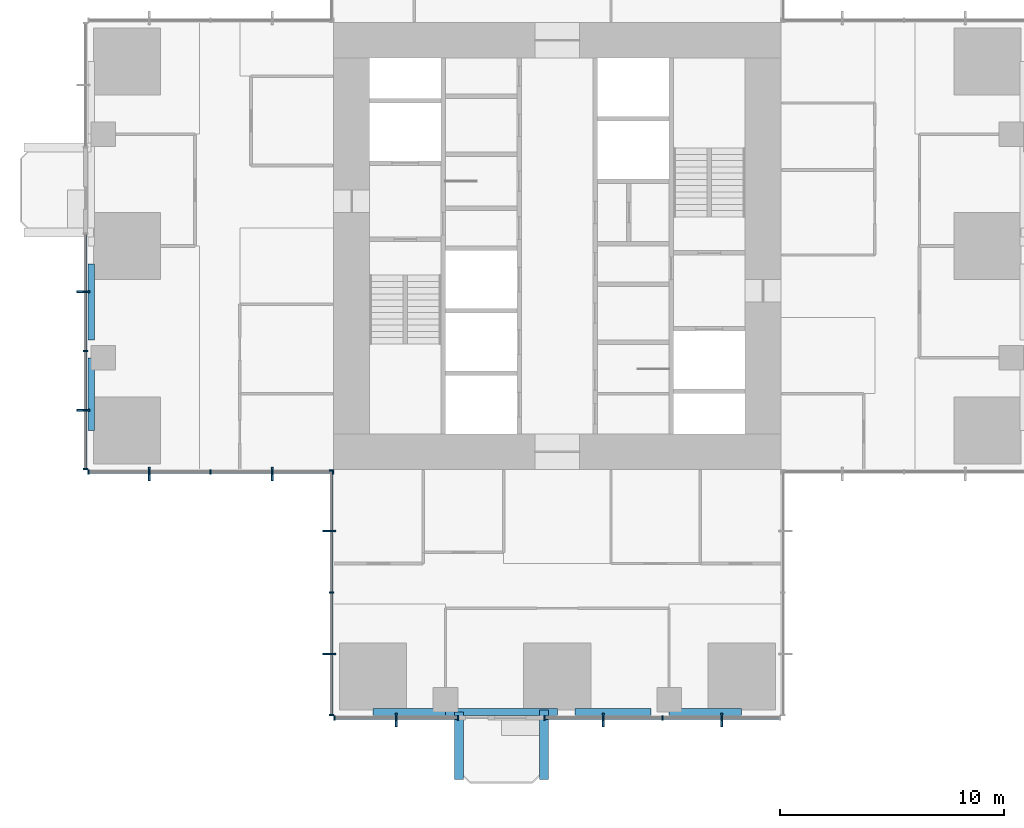
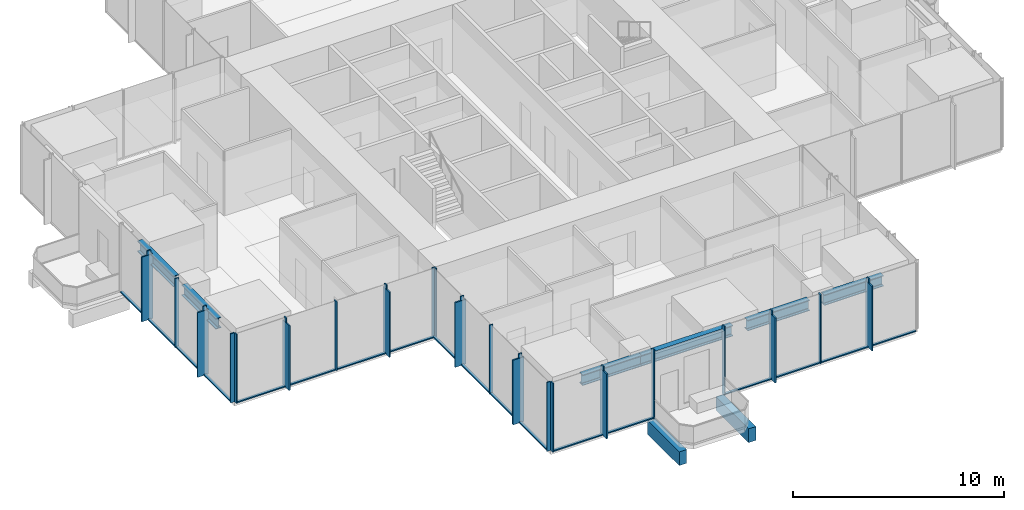
# One storey, part 2 of 13: 48 members, 8 beams, 5 elements without a shape of their own.
"""IFC4 building model written with IfcOpenShell, lengths in metres."""

from ifc_helpers import new_model, si_unit, direction, frame, origin, origin_2d, place, context, subcontext, project, spatial, rectangle, i_section, extrude, material, material_profile, profile_set, type_object, element, aggregate, save


model = new_model("IFC4")

# Units and contexts
model_context = context("Model", 3, precision=1e-05, world=origin(), true_north=direction((0.0, 1.0)))
body_context = subcontext(model_context, "Body", "Model", "MODEL_VIEW")
ifc_project = project(units=[si_unit("LENGTHUNIT", "METRE"), si_unit("AREAUNIT", "SQUARE_METRE"), si_unit("VOLUMEUNIT", "CUBIC_METRE"), si_unit("PLANEANGLEUNIT", "RADIAN"), si_unit("MASSUNIT", "GRAM", prefix="KILO")], contexts=[model_context])

# Site, building, storey
site_placement = place(None, origin())
site = spatial("IfcSite", under=ifc_project, at=site_placement, CompositionType="ELEMENT")
building_placement = place(site_placement, origin())
building = spatial("IfcBuilding", under=site, at=building_placement, Name="Svetlomir Tower", CompositionType="ELEMENT")
storey_placement = place(building_placement, frame((0.0, 0.0, 148.5)))
storey = spatial("IfcBuildingStorey", under=building, at=storey_placement, Name="L35", CompositionType="ELEMENT", Elevation=148.5)

# Beams
ifc_material_1 = material(Name="Concrete C60/75", Category="concrete")
ifc_material_profile_1 = material_profile(ifc_material_1, rectangle(XDim=0.39990234375, YDim=0.800048828125, at=origin_2d()), Name="RC 400x800")
ifc_profile_set_1 = profile_set([ifc_material_profile_1], Name="Concrete C60/75")
beam_type_1 = type_object("IfcBeamType", Name="BALCONY RIB RC 400x800", PredefinedType="BEAM", material=ifc_profile_set_1)
beam_1_placement = place(storey_placement, frame((16.60009765625, 0.14990234375, -0.64990234375), z_axis=(0.0, -1.0, 0.0), x_axis=(1.0, 0.0, 0.0)))
element("IfcBeam", 1, at=beam_1_placement, inside=storey, type_object=beam_type_1, Name="Balcony rib S 1 L35", PredefinedType="BEAM", context=body_context, shape_type="SweptSolid", body=[
    extrude(rectangle(XDim=0.39990234375, YDim=0.800048828125, at=origin_2d()), origin(), (0.0, 0.0, 1.0), 3.0),
])
beam_2_placement = place(storey_placement, frame((20.39990234375, 0.25, -0.64990234375), z_axis=(0.0, -1.0, 0.0), x_axis=(1.0, 0.0, 0.0)))
element("IfcBeam", 2, at=beam_2_placement, inside=storey, type_object=beam_type_1, Name="Balcony rib S 2 L35", PredefinedType="BEAM", context=body_context, shape_type="SweptSolid", body=[
    extrude(rectangle(XDim=0.39990234375, YDim=0.800048828125, at=origin_2d()), origin(), (0.0, 0.0, 1.0), 3.10009765625),
])

# Curtain wall, member
ifc_material_2 = material(Name="Bronze anodised aluminium curtain wall", Category="aluminium")
curtain_wall_type = type_object("IfcCurtainWallType", Name="CURTAIN WALL CW1 TOWER OFFICE", PredefinedType="NOTDEFINED", material=ifc_material_2)
curtain_wall_1_placement = place(storey_placement, origin())
curtain_wall_1 = element("IfcCurtainWall", 3, at=curtain_wall_1_placement, inside=storey, type_object=curtain_wall_type, Name="Curtain wall CW1 L35", PredefinedType="NOTDEFINED")
ifc_material_3 = material(Name="Bronze anodised aluminium", Category="aluminium")
ifc_material_profile_2 = material_profile(ifc_material_3, rectangle(XDim=0.080078125, YDim=0.60009765625, at=origin_2d()), Name="FIN 80x600")
ifc_profile_set_2 = profile_set([ifc_material_profile_2], Name="Bronze anodised aluminium 6063-T6")
member_type_1 = type_object("IfcMemberType", Name="BRONZE FIN 80x600", PredefinedType="USERDEFINED", material=ifc_profile_set_2)
member_1_placement = place(storey_placement, frame((13.800048828125, -0.199951171875, 0.0), z_axis=(0.0, 0.0, 1.0), x_axis=(1.0, 0.0, 0.0)))
member_1 = element("IfcMember", 4, at=member_1_placement, type_object=member_type_1, Name="Bronze fin L35", ObjectType="FIN", PredefinedType="USERDEFINED", context=body_context, shape_type="SweptSolid", body=[
    extrude(rectangle(XDim=0.080078125, YDim=0.60009765625, at=origin_2d()), origin(), (0.0, 0.0, 1.0), 3.75),
])

# Curtain wall, members
curtain_wall_2_placement = place(storey_placement, origin())
curtain_wall_2 = element("IfcCurtainWall", 5, at=curtain_wall_2_placement, inside=storey, type_object=curtain_wall_type, Name="Curtain wall CW1 L35", PredefinedType="NOTDEFINED")
member_2_placement = place(storey_placement, frame((23.050048828125, -0.199951171875, 0.0), z_axis=(0.0, 0.0, 1.0), x_axis=(1.0, 0.0, 0.0)))
member_2 = element("IfcMember", 6, at=member_2_placement, type_object=member_type_1, Name="Bronze fin L35", ObjectType="FIN", PredefinedType="USERDEFINED", context=body_context, shape_type="SweptSolid", body=[
    extrude(rectangle(XDim=0.080078125, YDim=0.60009765625, at=origin_2d()), origin(), (0.0, 0.0, 1.0), 3.75),
])
member_3_placement = place(storey_placement, frame((28.35009765625, -0.199951171875, 0.0), z_axis=(0.0, 0.0, 1.0), x_axis=(1.0, 0.0, 0.0)))
member_3 = element("IfcMember", 7, at=member_3_placement, type_object=member_type_1, Name="Bronze fin L35", ObjectType="FIN", PredefinedType="USERDEFINED", context=body_context, shape_type="SweptSolid", body=[
    extrude(rectangle(XDim=0.080078125, YDim=0.60009765625, at=origin_2d()), origin(), (0.0, 0.0, 1.0), 3.75),
])

curtain_wall_3_placement = place(storey_placement, origin())
curtain_wall_3 = element("IfcCurtainWall", 8, at=curtain_wall_3_placement, inside=storey, type_object=curtain_wall_type, Name="Curtain wall CW1 L35", PredefinedType="NOTDEFINED")
member_4_placement = place(storey_placement, frame((-0.199951171875, 18.949951171875, 0.0), z_axis=(0.0, 0.0, 1.0), x_axis=(0.0, 1.0, 0.0)))
member_4 = element("IfcMember", 9, at=member_4_placement, type_object=member_type_1, Name="Bronze fin L35", ObjectType="FIN", PredefinedType="USERDEFINED", context=body_context, shape_type="SweptSolid", body=[
    extrude(rectangle(XDim=0.080078125, YDim=0.60009765625, at=origin_2d()), origin(), (0.0, 0.0, 1.0), 3.75),
])
member_5_placement = place(storey_placement, frame((-0.199951171875, 13.64990234375, 0.0), z_axis=(0.0, 0.0, 1.0), x_axis=(0.0, 1.0, 0.0)))
member_5 = element("IfcMember", 10, at=member_5_placement, type_object=member_type_1, Name="Bronze fin L35", ObjectType="FIN", PredefinedType="USERDEFINED", context=body_context, shape_type="SweptSolid", body=[
    extrude(rectangle(XDim=0.080078125, YDim=0.60009765625, at=origin_2d()), origin(), (0.0, 0.0, 1.0), 3.75),
])

curtain_wall_4_placement = place(storey_placement, origin())
curtain_wall_4 = element("IfcCurtainWall", 11, at=curtain_wall_4_placement, inside=storey, type_object=curtain_wall_type, Name="Curtain wall CW1 L35", PredefinedType="NOTDEFINED")
member_6_placement = place(storey_placement, frame((2.75, 10.800048828125, 0.0), z_axis=(0.0, 0.0, 1.0), x_axis=(1.0, 0.0, 0.0)))
member_6 = element("IfcMember", 12, at=member_6_placement, type_object=member_type_1, Name="Bronze fin L35", ObjectType="FIN", PredefinedType="USERDEFINED", context=body_context, shape_type="SweptSolid", body=[
    extrude(rectangle(XDim=0.080078125, YDim=0.60009765625, at=origin_2d()), origin(), (0.0, 0.0, 1.0), 3.75),
])
member_7_placement = place(storey_placement, frame((8.25, 10.800048828125, 0.0), z_axis=(0.0, 0.0, 1.0), x_axis=(1.0, 0.0, 0.0)))
member_7 = element("IfcMember", 13, at=member_7_placement, type_object=member_type_1, Name="Bronze fin L35", ObjectType="FIN", PredefinedType="USERDEFINED", context=body_context, shape_type="SweptSolid", body=[
    extrude(rectangle(XDim=0.080078125, YDim=0.60009765625, at=origin_2d()), origin(), (0.0, 0.0, 1.0), 3.75),
])

curtain_wall_5_placement = place(storey_placement, origin())
curtain_wall_5 = element("IfcCurtainWall", 14, at=curtain_wall_5_placement, inside=storey, type_object=curtain_wall_type, Name="Curtain wall CW1 L35", PredefinedType="NOTDEFINED")
member_8_placement = place(storey_placement, frame((10.800048828125, 8.25, 0.0), z_axis=(0.0, 0.0, 1.0), x_axis=(0.0, 1.0, 0.0)))
member_8 = element("IfcMember", 15, at=member_8_placement, type_object=member_type_1, Name="Bronze fin L35", ObjectType="FIN", PredefinedType="USERDEFINED", context=body_context, shape_type="SweptSolid", body=[
    extrude(rectangle(XDim=0.080078125, YDim=0.60009765625, at=origin_2d()), origin(), (0.0, 0.0, 1.0), 3.75),
])
member_9_placement = place(storey_placement, frame((10.800048828125, 2.75, 0.0), z_axis=(0.0, 0.0, 1.0), x_axis=(0.0, 1.0, 0.0)))
member_9 = element("IfcMember", 16, at=member_9_placement, type_object=member_type_1, Name="Bronze fin L35", ObjectType="FIN", PredefinedType="USERDEFINED", context=body_context, shape_type="SweptSolid", body=[
    extrude(rectangle(XDim=0.080078125, YDim=0.60009765625, at=origin_2d()), origin(), (0.0, 0.0, 1.0), 3.75),
])

# Member
ifc_material_4 = material(Name="Bronze anodised aluminium", Category="aluminium")
ifc_material_profile_3 = material_profile(ifc_material_4, rectangle(XDim=0.06494140625, YDim=0.199951171875, at=origin_2d()), Name="AL 65x200")
ifc_profile_set_3 = profile_set([ifc_material_profile_3], Name="Bronze anodised aluminium 6063-T6")
member_type_2 = type_object("IfcMemberType", Name="CW1 MULLION 65x200", PredefinedType="MULLION", material=ifc_profile_set_3)
member_10_placement = place(storey_placement, frame((11.032470703125, -0.10009765625, 0.0), z_axis=(0.0, 0.0, 1.0), x_axis=(1.0, 0.0, 0.0)))
member_10 = element("IfcMember", 17, at=member_10_placement, type_object=member_type_2, Name="CW1 mullion 1", PredefinedType="MULLION", context=body_context, shape_type="SweptSolid", body=[
    extrude(rectangle(XDim=0.06494140625, YDim=0.199951171875, at=origin_2d()), origin(), (0.0, 0.0, 1.0), 4.0),
])

member_11_placement = place(storey_placement, frame((13.800048828125, -0.10009765625, 0.0), z_axis=(0.0, 0.0, 1.0), x_axis=(1.0, 0.0, 0.0)))
member_11 = element("IfcMember", 18, at=member_11_placement, type_object=member_type_2, Name="CW1 mullion 2", PredefinedType="MULLION", context=body_context, shape_type="SweptSolid", body=[
    extrude(rectangle(XDim=0.06494140625, YDim=0.199951171875, at=origin_2d()), origin(), (0.0, 0.0, 1.0), 4.0),
])

member_12_placement = place(storey_placement, frame((16.5673828125, -0.10009765625, 0.0), z_axis=(0.0, 0.0, 1.0), x_axis=(1.0, 0.0, 0.0)))
member_12 = element("IfcMember", 19, at=member_12_placement, type_object=member_type_2, Name="CW1 mullion 3", PredefinedType="MULLION", context=body_context, shape_type="SweptSolid", body=[
    extrude(rectangle(XDim=0.06494140625, YDim=0.199951171875, at=origin_2d()), origin(), (0.0, 0.0, 1.0), 4.0),
])

member_13_placement = place(storey_placement, frame((20.4326171875, -0.10009765625, 0.0), z_axis=(0.0, 0.0, 1.0), x_axis=(1.0, 0.0, 0.0)))
member_13 = element("IfcMember", 20, at=member_13_placement, type_object=member_type_2, Name="CW1 mullion 1", PredefinedType="MULLION", context=body_context, shape_type="SweptSolid", body=[
    extrude(rectangle(XDim=0.06494140625, YDim=0.199951171875, at=origin_2d()), origin(), (0.0, 0.0, 1.0), 4.0),
])

member_14_placement = place(storey_placement, frame((23.050048828125, -0.10009765625, 0.0), z_axis=(0.0, 0.0, 1.0), x_axis=(1.0, 0.0, 0.0)))
member_14 = element("IfcMember", 21, at=member_14_placement, type_object=member_type_2, Name="CW1 mullion 2", PredefinedType="MULLION", context=body_context, shape_type="SweptSolid", body=[
    extrude(rectangle(XDim=0.06494140625, YDim=0.199951171875, at=origin_2d()), origin(), (0.0, 0.0, 1.0), 4.0),
])

member_15_placement = place(storey_placement, frame((25.699951171875, -0.10009765625, 0.0), z_axis=(0.0, 0.0, 1.0), x_axis=(1.0, 0.0, 0.0)))
member_15 = element("IfcMember", 22, at=member_15_placement, type_object=member_type_2, Name="CW1 mullion 3", PredefinedType="MULLION", context=body_context, shape_type="SweptSolid", body=[
    extrude(rectangle(XDim=0.06494140625, YDim=0.199951171875, at=origin_2d()), origin(), (0.0, 0.0, 1.0), 4.0),
])

member_16_placement = place(storey_placement, frame((28.35009765625, -0.10009765625, 0.0), z_axis=(0.0, 0.0, 1.0), x_axis=(1.0, 0.0, 0.0)))
member_16 = element("IfcMember", 23, at=member_16_placement, type_object=member_type_2, Name="CW1 mullion 4", PredefinedType="MULLION", context=body_context, shape_type="SweptSolid", body=[
    extrude(rectangle(XDim=0.06494140625, YDim=0.199951171875, at=origin_2d()), origin(), (0.0, 0.0, 1.0), 4.0),
])

member_17_placement = place(storey_placement, frame((-0.10009765625, 18.949951171875, 0.0), z_axis=(0.0, 0.0, 1.0), x_axis=(0.0, -1.0, 0.0)))
member_17 = element("IfcMember", 24, at=member_17_placement, type_object=member_type_2, Name="CW1 mullion 2", PredefinedType="MULLION", context=body_context, shape_type="SweptSolid", body=[
    extrude(rectangle(XDim=0.06494140625, YDim=0.199951171875, at=origin_2d()), origin(), (0.0, 0.0, 1.0), 4.0),
])

member_18_placement = place(storey_placement, frame((-0.10009765625, 16.300048828125, 0.0), z_axis=(0.0, 0.0, 1.0), x_axis=(0.0, -1.0, 0.0)))
member_18 = element("IfcMember", 25, at=member_18_placement, type_object=member_type_2, Name="CW1 mullion 3", PredefinedType="MULLION", context=body_context, shape_type="SweptSolid", body=[
    extrude(rectangle(XDim=0.06494140625, YDim=0.199951171875, at=origin_2d()), origin(), (0.0, 0.0, 1.0), 4.0),
])

member_19_placement = place(storey_placement, frame((-0.10009765625, 13.64990234375, 0.0), z_axis=(0.0, 0.0, 1.0), x_axis=(0.0, -1.0, 0.0)))
member_19 = element("IfcMember", 26, at=member_19_placement, type_object=member_type_2, Name="CW1 mullion 4", PredefinedType="MULLION", context=body_context, shape_type="SweptSolid", body=[
    extrude(rectangle(XDim=0.06494140625, YDim=0.199951171875, at=origin_2d()), origin(), (0.0, 0.0, 1.0), 4.0),
])

member_20_placement = place(storey_placement, frame((-0.10009765625, 11.032470703125, 0.0), z_axis=(0.0, 0.0, 1.0), x_axis=(0.0, -1.0, 0.0)))
member_20 = element("IfcMember", 27, at=member_20_placement, type_object=member_type_2, Name="CW1 mullion 5", PredefinedType="MULLION", context=body_context, shape_type="SweptSolid", body=[
    extrude(rectangle(XDim=0.06494140625, YDim=0.199951171875, at=origin_2d()), origin(), (0.0, 0.0, 1.0), 4.0),
])

member_21_placement = place(storey_placement, frame((0.032470703125, 10.89990234375, 0.0), z_axis=(0.0, 0.0, 1.0), x_axis=(1.0, 0.0, 0.0)))
member_21 = element("IfcMember", 28, at=member_21_placement, type_object=member_type_2, Name="CW1 mullion 1", PredefinedType="MULLION", context=body_context, shape_type="SweptSolid", body=[
    extrude(rectangle(XDim=0.06494140625, YDim=0.199951171875, at=origin_2d()), origin(), (0.0, 0.0, 1.0), 4.0),
])

member_22_placement = place(storey_placement, frame((2.75, 10.89990234375, 0.0), z_axis=(0.0, 0.0, 1.0), x_axis=(1.0, 0.0, 0.0)))
member_22 = element("IfcMember", 29, at=member_22_placement, type_object=member_type_2, Name="CW1 mullion 2", PredefinedType="MULLION", context=body_context, shape_type="SweptSolid", body=[
    extrude(rectangle(XDim=0.06494140625, YDim=0.199951171875, at=origin_2d()), origin(), (0.0, 0.0, 1.0), 4.0),
])

member_23_placement = place(storey_placement, frame((5.5, 10.89990234375, 0.0), z_axis=(0.0, 0.0, 1.0), x_axis=(1.0, 0.0, 0.0)))
member_23 = element("IfcMember", 30, at=member_23_placement, type_object=member_type_2, Name="CW1 mullion 3", PredefinedType="MULLION", context=body_context, shape_type="SweptSolid", body=[
    extrude(rectangle(XDim=0.06494140625, YDim=0.199951171875, at=origin_2d()), origin(), (0.0, 0.0, 1.0), 4.0),
])

member_24_placement = place(storey_placement, frame((8.25, 10.89990234375, 0.0), z_axis=(0.0, 0.0, 1.0), x_axis=(1.0, 0.0, 0.0)))
member_24 = element("IfcMember", 31, at=member_24_placement, type_object=member_type_2, Name="CW1 mullion 4", PredefinedType="MULLION", context=body_context, shape_type="SweptSolid", body=[
    extrude(rectangle(XDim=0.06494140625, YDim=0.199951171875, at=origin_2d()), origin(), (0.0, 0.0, 1.0), 4.0),
])

member_25_placement = place(storey_placement, frame((10.967529296875, 10.89990234375, 0.0), z_axis=(0.0, 0.0, 1.0), x_axis=(1.0, 0.0, 0.0)))
member_25 = element("IfcMember", 32, at=member_25_placement, type_object=member_type_2, Name="CW1 mullion 5", PredefinedType="MULLION", context=body_context, shape_type="SweptSolid", body=[
    extrude(rectangle(XDim=0.06494140625, YDim=0.199951171875, at=origin_2d()), origin(), (0.0, 0.0, 1.0), 4.0),
])

member_26_placement = place(storey_placement, frame((10.89990234375, 10.967529296875, 0.0), z_axis=(0.0, 0.0, 1.0), x_axis=(0.0, -1.0, 0.0)))
member_26 = element("IfcMember", 33, at=member_26_placement, type_object=member_type_2, Name="CW1 mullion 1", PredefinedType="MULLION", context=body_context, shape_type="SweptSolid", body=[
    extrude(rectangle(XDim=0.06494140625, YDim=0.199951171875, at=origin_2d()), origin(), (0.0, 0.0, 1.0), 4.0),
])

member_27_placement = place(storey_placement, frame((10.89990234375, 8.25, 0.0), z_axis=(0.0, 0.0, 1.0), x_axis=(0.0, -1.0, 0.0)))
member_27 = element("IfcMember", 34, at=member_27_placement, type_object=member_type_2, Name="CW1 mullion 2", PredefinedType="MULLION", context=body_context, shape_type="SweptSolid", body=[
    extrude(rectangle(XDim=0.06494140625, YDim=0.199951171875, at=origin_2d()), origin(), (0.0, 0.0, 1.0), 4.0),
])

member_28_placement = place(storey_placement, frame((10.89990234375, 5.5, 0.0), z_axis=(0.0, 0.0, 1.0), x_axis=(0.0, -1.0, 0.0)))
member_28 = element("IfcMember", 35, at=member_28_placement, type_object=member_type_2, Name="CW1 mullion 3", PredefinedType="MULLION", context=body_context, shape_type="SweptSolid", body=[
    extrude(rectangle(XDim=0.06494140625, YDim=0.199951171875, at=origin_2d()), origin(), (0.0, 0.0, 1.0), 4.0),
])

member_29_placement = place(storey_placement, frame((10.89990234375, 2.75, 0.0), z_axis=(0.0, 0.0, 1.0), x_axis=(0.0, -1.0, 0.0)))
member_29 = element("IfcMember", 36, at=member_29_placement, type_object=member_type_2, Name="CW1 mullion 4", PredefinedType="MULLION", context=body_context, shape_type="SweptSolid", body=[
    extrude(rectangle(XDim=0.06494140625, YDim=0.199951171875, at=origin_2d()), origin(), (0.0, 0.0, 1.0), 4.0),
])

member_30_placement = place(storey_placement, frame((10.89990234375, 0.032470703125, 0.0), z_axis=(0.0, 0.0, 1.0), x_axis=(0.0, -1.0, 0.0)))
member_30 = element("IfcMember", 37, at=member_30_placement, type_object=member_type_2, Name="CW1 mullion 5", PredefinedType="MULLION", context=body_context, shape_type="SweptSolid", body=[
    extrude(rectangle(XDim=0.06494140625, YDim=0.199951171875, at=origin_2d()), origin(), (0.0, 0.0, 1.0), 4.0),
])

ifc_material_5 = material(Name="Bronze anodised aluminium", Category="aluminium")
ifc_material_profile_4 = material_profile(ifc_material_5, rectangle(XDim=0.139892578125, YDim=0.06494140625, at=origin_2d()), Name="AL 140x65")
ifc_profile_set_4 = profile_set([ifc_material_profile_4], Name="Bronze anodised aluminium 6063-T6")
member_type_3 = type_object("IfcMemberType", Name="CW1 TRANSOM 65x140", PredefinedType="USERDEFINED", material=ifc_profile_set_4)
member_31_placement = place(storey_placement, frame((11.06494140625, -0.10009765625, 0.032470703125), z_axis=(1.0, 0.0, 0.0), x_axis=(0.0, 1.0, 0.0)))
member_31 = element("IfcMember", 38, at=member_31_placement, type_object=member_type_3, Name="CW1 transom 1.1", ObjectType="TRANSOM", PredefinedType="USERDEFINED", context=body_context, shape_type="SweptSolid", body=[
    extrude(rectangle(XDim=0.139892578125, YDim=0.06494140625, at=origin_2d()), origin(), (0.0, 0.0, 1.0), 2.70263671875),
])

member_32_placement = place(storey_placement, frame((13.83251953125, -0.10009765625, 0.032470703125), z_axis=(1.0, 0.0, 0.0), x_axis=(0.0, 1.0, 0.0)))
member_32 = element("IfcMember", 39, at=member_32_placement, type_object=member_type_3, Name="CW1 transom 2.1", ObjectType="TRANSOM", PredefinedType="USERDEFINED", context=body_context, shape_type="SweptSolid", body=[
    extrude(rectangle(XDim=0.139892578125, YDim=0.06494140625, at=origin_2d()), origin(), (0.0, 0.0, 1.0), 2.702392578125),
])

aggregate(curtain_wall_1, [member_10, member_11, member_12, member_31, member_32, member_1])

member_33_placement = place(storey_placement, frame((20.465087890625, -0.10009765625, 0.032470703125), z_axis=(1.0, 0.0, 0.0), x_axis=(0.0, 1.0, 0.0)))
member_33 = element("IfcMember", 40, at=member_33_placement, type_object=member_type_3, Name="CW1 transom 1.1", ObjectType="TRANSOM", PredefinedType="USERDEFINED", context=body_context, shape_type="SweptSolid", body=[
    extrude(rectangle(XDim=0.139892578125, YDim=0.06494140625, at=origin_2d()), origin(), (0.0, 0.0, 1.0), 2.552490234375),
])

member_34_placement = place(storey_placement, frame((23.08251953125, -0.10009765625, 0.032470703125), z_axis=(1.0, 0.0, 0.0), x_axis=(0.0, 1.0, 0.0)))
member_34 = element("IfcMember", 41, at=member_34_placement, type_object=member_type_3, Name="CW1 transom 2.1", ObjectType="TRANSOM", PredefinedType="USERDEFINED", context=body_context, shape_type="SweptSolid", body=[
    extrude(rectangle(XDim=0.139892578125, YDim=0.06494140625, at=origin_2d()), origin(), (0.0, 0.0, 1.0), 2.5849609375),
])

member_35_placement = place(storey_placement, frame((25.732421875, -0.10009765625, 0.032470703125), z_axis=(1.0, 0.0, 0.0), x_axis=(0.0, 1.0, 0.0)))
member_35 = element("IfcMember", 42, at=member_35_placement, type_object=member_type_3, Name="CW1 transom 3.1", ObjectType="TRANSOM", PredefinedType="USERDEFINED", context=body_context, shape_type="SweptSolid", body=[
    extrude(rectangle(XDim=0.139892578125, YDim=0.06494140625, at=origin_2d()), origin(), (0.0, 0.0, 1.0), 2.5849609375),
])

member_36_placement = place(storey_placement, frame((28.382568359375, -0.10009765625, 0.032470703125), z_axis=(1.0, 0.0, 0.0), x_axis=(0.0, 1.0, 0.0)))
member_36 = element("IfcMember", 43, at=member_36_placement, type_object=member_type_3, Name="CW1 transom 4.1", ObjectType="TRANSOM", PredefinedType="USERDEFINED", context=body_context, shape_type="SweptSolid", body=[
    extrude(rectangle(XDim=0.139892578125, YDim=0.06494140625, at=origin_2d()), origin(), (0.0, 0.0, 1.0), 2.552490234375),
])

aggregate(curtain_wall_2, [member_13, member_14, member_15, member_16, member_33, member_34, member_35, member_36, member_2, member_3])

member_37_placement = place(storey_placement, frame((-0.10009765625, 21.534912109375, 0.032470703125), z_axis=(0.0, -1.0, 0.0), x_axis=(1.0, 0.0, 0.0)))
member_37 = element("IfcMember", 44, at=member_37_placement, type_object=member_type_3, Name="CW1 transom 1.1", ObjectType="TRANSOM", PredefinedType="USERDEFINED", context=body_context, shape_type="SweptSolid", body=[
    extrude(rectangle(XDim=0.139892578125, YDim=0.06494140625, at=origin_2d()), origin(), (0.0, 0.0, 1.0), 2.552490234375),
])

member_38_placement = place(storey_placement, frame((-0.10009765625, 18.91748046875, 0.032470703125), z_axis=(0.0, -1.0, 0.0), x_axis=(1.0, 0.0, 0.0)))
member_38 = element("IfcMember", 45, at=member_38_placement, type_object=member_type_3, Name="CW1 transom 2.1", ObjectType="TRANSOM", PredefinedType="USERDEFINED", context=body_context, shape_type="SweptSolid", body=[
    extrude(rectangle(XDim=0.139892578125, YDim=0.06494140625, at=origin_2d()), origin(), (0.0, 0.0, 1.0), 2.5849609375),
])

member_39_placement = place(storey_placement, frame((-0.10009765625, 16.267578125, 0.032470703125), z_axis=(0.0, -1.0, 0.0), x_axis=(1.0, 0.0, 0.0)))
member_39 = element("IfcMember", 46, at=member_39_placement, type_object=member_type_3, Name="CW1 transom 3.1", ObjectType="TRANSOM", PredefinedType="USERDEFINED", context=body_context, shape_type="SweptSolid", body=[
    extrude(rectangle(XDim=0.139892578125, YDim=0.06494140625, at=origin_2d()), origin(), (0.0, 0.0, 1.0), 2.5849609375),
])

member_40_placement = place(storey_placement, frame((-0.10009765625, 13.617431640625, 0.032470703125), z_axis=(0.0, -1.0, 0.0), x_axis=(1.0, 0.0, 0.0)))
member_40 = element("IfcMember", 47, at=member_40_placement, type_object=member_type_3, Name="CW1 transom 4.1", ObjectType="TRANSOM", PredefinedType="USERDEFINED", context=body_context, shape_type="SweptSolid", body=[
    extrude(rectangle(XDim=0.139892578125, YDim=0.06494140625, at=origin_2d()), origin(), (0.0, 0.0, 1.0), 2.552490234375),
])

aggregate(curtain_wall_3, [member_17, member_18, member_19, member_20, member_37, member_38, member_39, member_40, member_4, member_5])

member_41_placement = place(storey_placement, frame((0.06494140625, 10.89990234375, 0.032470703125), z_axis=(1.0, 0.0, 0.0), x_axis=(0.0, 1.0, 0.0)))
member_41 = element("IfcMember", 48, at=member_41_placement, type_object=member_type_3, Name="CW1 transom 1.1", ObjectType="TRANSOM", PredefinedType="USERDEFINED", context=body_context, shape_type="SweptSolid", body=[
    extrude(rectangle(XDim=0.139892578125, YDim=0.06494140625, at=origin_2d()), origin(), (0.0, 0.0, 1.0), 2.652587890625),
])

member_42_placement = place(storey_placement, frame((2.782470703125, 10.89990234375, 0.032470703125), z_axis=(1.0, 0.0, 0.0), x_axis=(0.0, 1.0, 0.0)))
member_42 = element("IfcMember", 49, at=member_42_placement, type_object=member_type_3, Name="CW1 transom 2.1", ObjectType="TRANSOM", PredefinedType="USERDEFINED", context=body_context, shape_type="SweptSolid", body=[
    extrude(rectangle(XDim=0.139892578125, YDim=0.06494140625, at=origin_2d()), origin(), (0.0, 0.0, 1.0), 2.68505859375),
])

member_43_placement = place(storey_placement, frame((5.532470703125, 10.89990234375, 0.032470703125), z_axis=(1.0, 0.0, 0.0), x_axis=(0.0, 1.0, 0.0)))
member_43 = element("IfcMember", 50, at=member_43_placement, type_object=member_type_3, Name="CW1 transom 3.1", ObjectType="TRANSOM", PredefinedType="USERDEFINED", context=body_context, shape_type="SweptSolid", body=[
    extrude(rectangle(XDim=0.139892578125, YDim=0.06494140625, at=origin_2d()), origin(), (0.0, 0.0, 1.0), 2.68505859375),
])

member_44_placement = place(storey_placement, frame((8.282470703125, 10.89990234375, 0.032470703125), z_axis=(1.0, 0.0, 0.0), x_axis=(0.0, 1.0, 0.0)))
member_44 = element("IfcMember", 51, at=member_44_placement, type_object=member_type_3, Name="CW1 transom 4.1", ObjectType="TRANSOM", PredefinedType="USERDEFINED", context=body_context, shape_type="SweptSolid", body=[
    extrude(rectangle(XDim=0.139892578125, YDim=0.06494140625, at=origin_2d()), origin(), (0.0, 0.0, 1.0), 2.652587890625),
])

aggregate(curtain_wall_4, [member_21, member_22, member_23, member_24, member_25, member_41, member_42, member_43, member_44, member_6, member_7])

member_45_placement = place(storey_placement, frame((10.89990234375, 10.93505859375, 0.032470703125), z_axis=(0.0, -1.0, 0.0), x_axis=(1.0, 0.0, 0.0)))
member_45 = element("IfcMember", 52, at=member_45_placement, type_object=member_type_3, Name="CW1 transom 1.1", ObjectType="TRANSOM", PredefinedType="USERDEFINED", context=body_context, shape_type="SweptSolid", body=[
    extrude(rectangle(XDim=0.139892578125, YDim=0.06494140625, at=origin_2d()), origin(), (0.0, 0.0, 1.0), 2.652587890625),
])

member_46_placement = place(storey_placement, frame((10.89990234375, 8.217529296875, 0.032470703125), z_axis=(0.0, -1.0, 0.0), x_axis=(1.0, 0.0, 0.0)))
member_46 = element("IfcMember", 53, at=member_46_placement, type_object=member_type_3, Name="CW1 transom 2.1", ObjectType="TRANSOM", PredefinedType="USERDEFINED", context=body_context, shape_type="SweptSolid", body=[
    extrude(rectangle(XDim=0.139892578125, YDim=0.06494140625, at=origin_2d()), origin(), (0.0, 0.0, 1.0), 2.68505859375),
])

member_47_placement = place(storey_placement, frame((10.89990234375, 5.467529296875, 0.032470703125), z_axis=(0.0, -1.0, 0.0), x_axis=(1.0, 0.0, 0.0)))
member_47 = element("IfcMember", 54, at=member_47_placement, type_object=member_type_3, Name="CW1 transom 3.1", ObjectType="TRANSOM", PredefinedType="USERDEFINED", context=body_context, shape_type="SweptSolid", body=[
    extrude(rectangle(XDim=0.139892578125, YDim=0.06494140625, at=origin_2d()), origin(), (0.0, 0.0, 1.0), 2.68505859375),
])

member_48_placement = place(storey_placement, frame((10.89990234375, 2.717529296875, 0.032470703125), z_axis=(0.0, -1.0, 0.0), x_axis=(1.0, 0.0, 0.0)))
member_48 = element("IfcMember", 55, at=member_48_placement, type_object=member_type_3, Name="CW1 transom 4.1", ObjectType="TRANSOM", PredefinedType="USERDEFINED", context=body_context, shape_type="SweptSolid", body=[
    extrude(rectangle(XDim=0.139892578125, YDim=0.06494140625, at=origin_2d()), origin(), (0.0, 0.0, 1.0), 2.652587890625),
])

aggregate(curtain_wall_5, [member_26, member_27, member_28, member_29, member_30, member_45, member_46, member_47, member_48, member_8, member_9])

# Beams
ifc_material_6 = material(Name="Steel S355", Category="steel")
ifc_material_profile_5 = material_profile(ifc_material_6, i_section(OverallWidth=0.304931640625, OverallDepth=0.6201171875, WebThickness=0.02099609375, FlangeThickness=0.0400390625, FilletRadius=0.027099609375, at=origin_2d()), Name="HEM 600")
ifc_profile_set_5 = profile_set([ifc_material_profile_5], Name="Steel S355")
beam_type_2 = type_object("IfcBeamType", Name="EDGE BEAM HEM 600", PredefinedType="SPANDREL", material=ifc_profile_set_5)
for number, where, z_axis, x_axis, name in (
    (56, (12.75, 0.152587890625, 3.43994140625), (1.0, 0.0, 0.0), (0.0, 1.0, 0.0), "Edge beam 11/0 to 16/0 under L36"),
    (57, (0.152587890625, 12.75, 3.43994140625), (0.0, 1.0, 0.0), (-1.0, 0.0, 0.0), "Edge beam 0/11 to 0/16 under L36"),
):
    element("IfcBeam", number, at=place(storey_placement, frame(where, z_axis=z_axis, x_axis=x_axis)), inside=storey, type_object=beam_type_2, Name=name, PredefinedType="SPANDREL", context=body_context, shape_type="SweptSolid", body=[
        extrude(i_section(OverallWidth=0.304931640625, OverallDepth=0.6201171875, WebThickness=0.02099609375, FlangeThickness=0.0400390625, FilletRadius=0.027099609375, at=origin_2d()), origin(), (0.0, 0.0, 1.0), 3.25),
    ])
beam_3_placement = place(storey_placement, frame((16.0, 0.152587890625, 3.43994140625), z_axis=(1.0, 0.0, 0.0), x_axis=(0.0, 1.0, 0.0)))
element("IfcBeam", 58, at=beam_3_placement, inside=storey, type_object=beam_type_2, Name="Edge beam 16/0 to 21/0 under L36", PredefinedType="SPANDREL", context=body_context, shape_type="SweptSolid", body=[
    extrude(i_section(OverallWidth=0.304931640625, OverallDepth=0.6201171875, WebThickness=0.02099609375, FlangeThickness=0.0400390625, FilletRadius=0.027099609375, at=origin_2d()), origin(), (0.0, 0.0, 1.0), 5.0),
])
for number, where, z_axis, x_axis, name in (
    (59, (0.152587890625, 16.800048828125, 3.43994140625), (0.0, 1.0, 0.0), (-1.0, 0.0, 0.0), "Edge beam 0/16 to 0/21 under L36"),
    (60, (21.800048828125, 0.152587890625, 3.43994140625), (1.0, 0.0, 0.0), (0.0, 1.0, 0.0), "Edge beam 21/0 to 26/0 under L36"),
):
    element("IfcBeam", number, at=place(storey_placement, frame(where, z_axis=z_axis, x_axis=x_axis)), inside=storey, type_object=beam_type_2, Name=name, PredefinedType="SPANDREL", context=body_context, shape_type="SweptSolid", body=[
        extrude(i_section(OverallWidth=0.304931640625, OverallDepth=0.6201171875, WebThickness=0.02099609375, FlangeThickness=0.0400390625, FilletRadius=0.027099609375, at=origin_2d()), origin(), (0.0, 0.0, 1.0), 3.39990234375),
    ])
beam_4_placement = place(storey_placement, frame((26.0, 0.152587890625, 3.43994140625), z_axis=(1.0, 0.0, 0.0), x_axis=(0.0, 1.0, 0.0)))
element("IfcBeam", 61, at=beam_4_placement, inside=storey, type_object=beam_type_2, Name="Edge beam 26/0 to 31/0 under L36", PredefinedType="SPANDREL", context=body_context, shape_type="SweptSolid", body=[
    extrude(i_section(OverallWidth=0.304931640625, OverallDepth=0.6201171875, WebThickness=0.02099609375, FlangeThickness=0.0400390625, FilletRadius=0.027099609375, at=origin_2d()), origin(), (0.0, 0.0, 1.0), 3.25),
])

save(model, "model.ifc")
